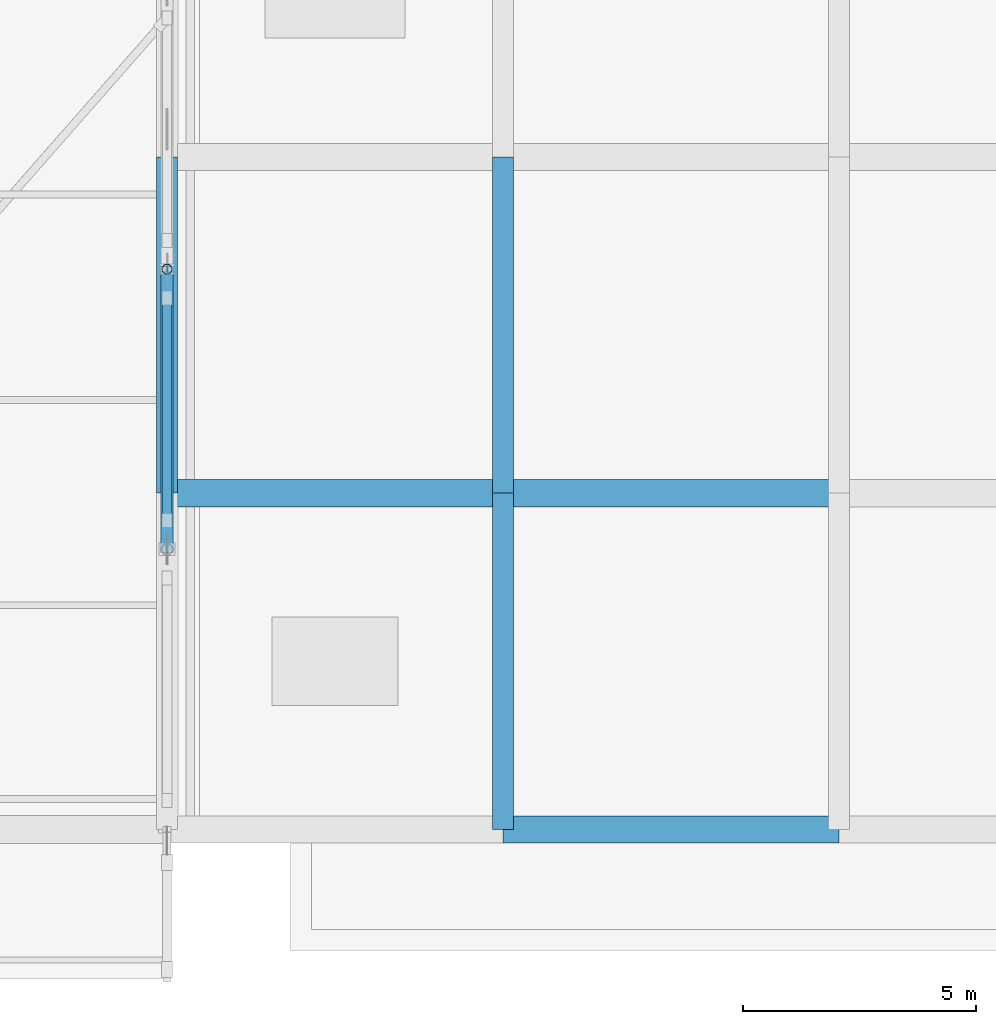
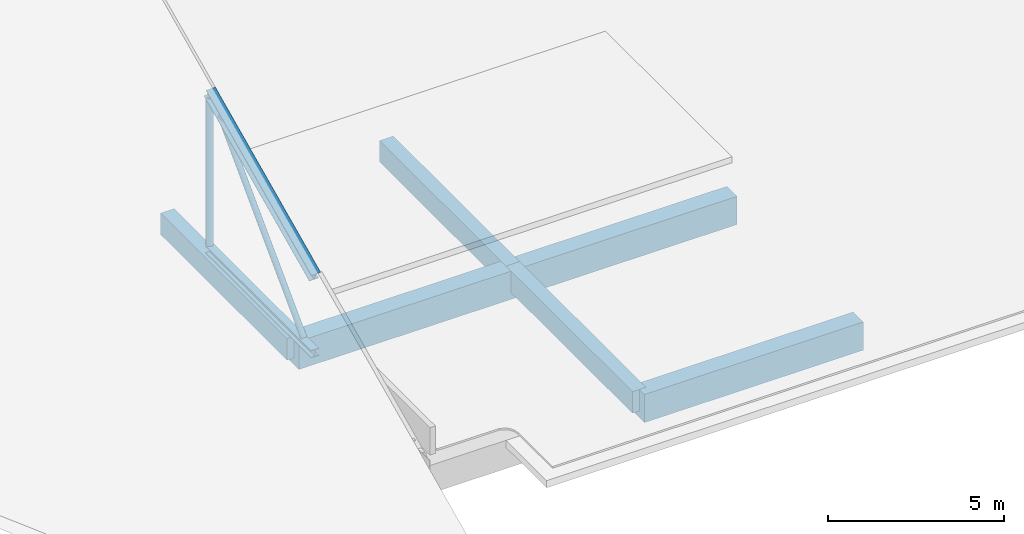
# One storey, part 104 of 141: 6 beams, 4 members, 1 element without a shape of its own.
"""IFC4 building model written with IfcOpenShell, lengths in metres."""

import ifcopenshell
import ifcopenshell.guid

model = None  # the IFC model being written
_history = None  # IfcOwnerHistory: only IFC2X3 demands one
_inside = {}  # id of a spatial element -> (the spatial element, [elements in it])
_under = {}  # id of a project, library or spatial element -> (it, [spatial elements below it])
_declared = {}  # id of a project -> (the project, [libraries it declares])
_typed = {}  # id of a type object -> (the type object, [elements of that type])
_made_of = {}  # id of a material, layer set ... -> (it, [elements and type objects made of it])


def new_model(schema):
    """Start an empty IFC model of exactly this schema.

    Asked for "IFC4X3", IfcOpenShell would pick the latest addendum, in which some entities
    have other attributes; the version numbers below select the first issue.
    IFC2X3 requires an IfcOwnerHistory on every rooted entity: one is made here for all.
    """
    global model, _history
    if schema == "IFC4X3":
        model = ifcopenshell.file(schema_version=(4, 3, 0, 0))
    else:
        model = ifcopenshell.file(schema=schema)
    _inside.clear()
    _under.clear()
    _declared.clear()
    _typed.clear()
    _made_of.clear()
    _history = None
    if model.schema == "IFC2X3":
        org = make("IfcOrganization", Name="unknown")
        user = make(
            "IfcPersonAndOrganization",
            ThePerson=make("IfcPerson", FamilyName="unknown"),
            TheOrganization=org,
        )
        app = make(
            "IfcApplication",
            ApplicationDeveloper=org,
            Version="unknown",
            ApplicationFullName="unknown",
            ApplicationIdentifier="unknown",
        )
        _history = make(
            "IfcOwnerHistory",
            OwningUser=user,
            OwningApplication=app,
            ChangeAction="ADDED",
            CreationDate=0,
        )
    return model


def make(cls, **values):
    """One entity of the class cls with the attributes given. An attribute that is None is left unset."""
    return model.create_entity(
        cls, **{name: value for name, value in values.items() if value is not None}
    )


def rooted(cls, **values):
    """An entity with a GlobalId (a new one), such as an element, a storey or a relation."""
    return make(cls, GlobalId=ifcopenshell.guid.new(), OwnerHistory=_history, **values)


def si_unit(unit_type, name, prefix=None):
    """IfcSIUnit, for example si_unit("LENGTHUNIT", "METRE", prefix="MILLI")."""
    return make("IfcSIUnit", UnitType=unit_type, Prefix=prefix, Name=name)


def assignment(units):
    """IfcUnitAssignment: the units of a project."""
    return None if units is None else make("IfcUnitAssignment", Units=units)


def point(xyz):
    """IfcCartesianPoint."""
    return None if xyz is None else make("IfcCartesianPoint", Coordinates=xyz)


def direction(xyz):
    """IfcDirection."""
    return None if xyz is None else make("IfcDirection", DirectionRatios=xyz)


def frame(location, z_axis=None, x_axis=None):
    """IfcAxis2Placement3D, a coordinate frame: its origin and axes. An axis left out is left unset."""
    return make(
        "IfcAxis2Placement3D",
        Location=point(location),
        Axis=direction(z_axis),
        RefDirection=direction(x_axis),
    )


def frame_2d(location, x_axis=None):
    """IfcAxis2Placement2D, a coordinate frame in the plane: its origin and x axis."""
    return make(
        "IfcAxis2Placement2D", Location=point(location), RefDirection=direction(x_axis)
    )


def origin():
    """The frame at (0, 0, 0) with its axes left unset."""
    return frame((0.0, 0.0, 0.0))


def origin_2d():
    """The frame at (0, 0) in the plane with its x axis left unset."""
    return frame_2d((0.0, 0.0))


def place(relative_to, where):
    """IfcLocalPlacement: puts the frame where relative to a parent placement (None: the world)."""
    return make(
        "IfcLocalPlacement", PlacementRelTo=relative_to, RelativePlacement=where
    )


def context(
    kind, dimensions, precision=None, world=None, true_north=None, identifier=None
):
    """IfcGeometricRepresentationContext, for example the 3D "Model" context."""
    return make(
        "IfcGeometricRepresentationContext",
        ContextIdentifier=identifier,
        ContextType=kind,
        CoordinateSpaceDimension=dimensions,
        Precision=precision,
        WorldCoordinateSystem=world,
        TrueNorth=true_north,
    )


def subcontext(parent, identifier, kind, view, scale=None):
    """IfcGeometricRepresentationSubContext, for example "Body" below "Model"."""
    return make(
        "IfcGeometricRepresentationSubContext",
        ContextIdentifier=identifier,
        ContextType=kind,
        ParentContext=parent,
        TargetScale=scale,
        TargetView=view,
    )


def project(units=None, contexts=None):
    """IfcProject with its units and contexts."""
    return rooted(
        "IfcProject",
        Name="project",
        RepresentationContexts=contexts,
        UnitsInContext=assignment(units),
    )


def spatial(cls, under=None, at=None, **own):
    """A site, building, storey or space (cls), placed at a placement, below another one or the project."""
    s = rooted(cls, ObjectPlacement=at, **own)
    if under is not None:
        _under.setdefault(under.id(), (under, []))[1].append(s)
    return s


def profile(cls, at=None, kind="AREA", **sizes):
    """A parametric profile (cls). Its sizes go by their IFC names, for example OverallWidth=200.0."""
    return make(cls, ProfileType=kind, Position=at, **sizes)


def rectangle(**sizes):
    """IfcRectangleProfileDef."""
    return profile("IfcRectangleProfileDef", **sizes)


def hollow_circle(**sizes):
    """IfcCircleHollowProfileDef."""
    return profile("IfcCircleHollowProfileDef", **sizes)


def i_section(**sizes):
    """IfcIShapeProfileDef."""
    return profile("IfcIShapeProfileDef", **sizes)


def extrude(swept, where, along, depth):
    """IfcExtrudedAreaSolid: the profile swept, set in the frame where, extruded along a direction by depth."""
    return make(
        "IfcExtrudedAreaSolid",
        SweptArea=swept,
        Position=where,
        ExtrudedDirection=direction(along),
        Depth=depth,
    )


def shape(context_of_items, identifier, shape_type, items):
    """IfcShapeRepresentation: the items that make up one representation, for example the "Body"."""
    return make(
        "IfcShapeRepresentation",
        ContextOfItems=context_of_items,
        RepresentationIdentifier=identifier,
        RepresentationType=shape_type,
        Items=items,
    )


def material(Name=None, Category=None):
    """IfcMaterial."""
    return make("IfcMaterial", Name=Name, Category=Category)


def material_profile(
    of_material, cross_section, Name=None, Category=None, Priority=None
):
    """IfcMaterialProfile: a cross section and its material."""
    return make(
        "IfcMaterialProfile",
        Name=Name,
        Material=of_material,
        Profile=cross_section,
        Priority=Priority,
        Category=Category,
    )


def profile_set(profiles, Name=None, composite=None):
    """IfcMaterialProfileSet."""
    return make(
        "IfcMaterialProfileSet",
        Name=Name,
        MaterialProfiles=profiles,
        CompositeProfile=composite,
    )


def made_of(thing, what):
    """Note that an element or type object is made of a material, layer set ...; save() writes the relation."""
    if what is not None:
        _made_of.setdefault(what.id(), (what, []))[1].append(thing)
    return thing


def type_object(cls, material=None, **own):
    """A type object (cls), such as IfcWallType, which elements share."""
    return made_of(rooted(cls, **own), material)


def element(
    cls,
    number,
    at=None,
    inside=None,
    cuts=None,
    type_object=None,
    material=None,
    context=None,
    identifier="Body",
    shape_type=None,
    held_by="IfcProductDefinitionShape",
    body=None,
    shapes=None,
    **own,
):
    """One element of the class cls, such as IfcWall. Its Tag is "e" and its number.

    at: its placement. inside: the storey or other place that contains it. cuts: it is an
    opening in that element (IfcRelVoidsElement). A single representation is given by context,
    identifier, shape_type and body (its items); several are given by shapes. held_by: the class
    of the entity that holds the representations. save() writes the other relations.
    """
    e = rooted(cls, Tag="e%d" % number, ObjectPlacement=at, **own)
    if body is not None:
        shapes = [shape(context, identifier, shape_type, body)]
    if shapes is not None:
        e.Representation = make(held_by, Representations=shapes)
    if inside is not None:
        _inside.setdefault(inside.id(), (inside, []))[1].append(e)
    if cuts is not None:
        rooted(
            "IfcRelVoidsElement", RelatingBuildingElement=cuts, RelatedOpeningElement=e
        )
    if type_object is not None:
        _typed.setdefault(type_object.id(), (type_object, []))[1].append(e)
    return made_of(e, material)


def aggregate(whole, parts):
    """IfcRelAggregates: a whole, such as a stair, and the parts it consists of."""
    return rooted("IfcRelAggregates", RelatingObject=whole, RelatedObjects=parts)


def save(model, path):
    """Write the relations noted so far, then the file.

    IfcRelAggregates (storeys below a building ...), IfcRelContainedInSpatialStructure (elements
    in a storey), IfcRelDefinesByType, IfcRelAssociatesMaterial and IfcRelDeclares: one each for
    every whole, place, type object, material and project.
    """
    for whole, parts in _under.values():
        aggregate(whole, parts)
    for where, things in _inside.values():
        rooted(
            "IfcRelContainedInSpatialStructure",
            RelatedElements=things,
            RelatingStructure=where,
        )
    for kind, things in _typed.values():
        rooted("IfcRelDefinesByType", RelatedObjects=things, RelatingType=kind)
    for what, things in _made_of.values():
        rooted("IfcRelAssociatesMaterial", RelatedObjects=things, RelatingMaterial=what)
    for by, libraries in _declared.values():
        rooted("IfcRelDeclares", RelatingContext=by, RelatedDefinitions=libraries)
    model.write(path)


model = new_model("IFC4")

# Units and contexts
model_context = context("Model", 3, precision=1e-05, world=origin(), true_north=direction((0.0, 1.0)))
body_context = subcontext(model_context, "Body", "Model", "MODEL_VIEW")
ifc_project = project(units=[si_unit("LENGTHUNIT", "METRE"), si_unit("AREAUNIT", "SQUARE_METRE"), si_unit("VOLUMEUNIT", "CUBIC_METRE"), si_unit("PLANEANGLEUNIT", "RADIAN"), si_unit("MASSUNIT", "GRAM", prefix="KILO")], contexts=[model_context])

# Site, building, storey
site_placement = place(None, origin())
site = spatial("IfcSite", under=ifc_project, at=site_placement, CompositionType="ELEMENT")
building_placement = place(site_placement, origin())
building = spatial("IfcBuilding", under=site, at=building_placement, Name="Seraya Terrace Polytechnic", CompositionType="ELEMENT")
storey_placement = place(building_placement, frame((0.0, 0.0, 14.39990234375)))
storey = spatial("IfcBuildingStorey", under=building, at=storey_placement, Name="L03", CompositionType="ELEMENT", Elevation=14.39990234375)

# Assembly, member
ifc_material_1 = material(Name="Steel S355J2", Category="steel")
element_assembly_type = type_object("IfcElementAssemblyType", Name="TR-A1", PredefinedType="TRUSS", material=ifc_material_1)
assembly_placement = place(storey_placement, origin())
assembly = element("IfcElementAssembly", 1, at=assembly_placement, inside=storey, type_object=element_assembly_type, Name="Pitched steel roof truss TR-08", AssemblyPlace="SITE", PredefinedType="TRUSS")
ifc_material_profile_1 = material_profile(ifc_material_1, i_section(OverallWidth=0.25390625, OverallDepth=0.25390625, WebThickness=0.0107421875, FlangeThickness=0.017333984375, at=origin_2d()), Name="UKC 254x254x10.7x17.3")
ifc_profile_set_1 = profile_set([ifc_material_profile_1], Name="Steel S355J2")
member_type_1 = type_object("IfcMemberType", Name="BC-02", PredefinedType="CHORD", material=ifc_profile_set_1)
member_1_placement = place(storey_placement, frame((115.199951171875, 85.199951171875, 0.150146484375), z_axis=(0.0, 1.0, 0.0), x_axis=(-1.0, 0.0, 0.0)))
member_1 = element("IfcMember", 2, at=member_1_placement, type_object=member_type_1, Name="TR-08 bottom chord 2", PredefinedType="CHORD", context=body_context, shape_type="SweptSolid", body=[
    extrude(i_section(OverallWidth=0.25390625, OverallDepth=0.25390625, WebThickness=0.0107421875, FlangeThickness=0.017333984375, at=origin_2d()), origin(), (0.0, 0.0, 1.0), 6.0),
])

# Beams
ifc_material_2 = material(Name="Concrete C40/50", Category="concrete")
ifc_material_profile_2 = material_profile(ifc_material_2, rectangle(XDim=0.580078125, YDim=0.97998046875, at=origin_2d()), Name="RC 580x980")
ifc_profile_set_2 = profile_set([ifc_material_profile_2], Name="Concrete C40/50")
beam_type_1 = type_object("IfcBeamType", Name="BM-02", PredefinedType="BEAM", material=ifc_profile_set_2)
beam_1_placement = place(storey_placement, frame((122.39990234375, 79.199951171875, -0.489990234375), z_axis=(1.0, 0.0, 0.0), x_axis=(0.0, 1.0, 0.0)))
element("IfcBeam", 3, at=beam_1_placement, inside=storey, type_object=beam_type_1, Name="Beam BM-02 L03 X (122.4..129.6, 79.2)", PredefinedType="BEAM", context=body_context, shape_type="SweptSolid", body=[
    extrude(rectangle(XDim=0.580078125, YDim=0.97998046875, at=origin_2d()), origin(), (0.0, 0.0, 1.0), 7.2001953125),
])
beam_2_placement = place(storey_placement, frame((115.199951171875, 86.39990234375, -0.489990234375), z_axis=(1.0, 0.0, 0.0), x_axis=(0.0, 1.0, 0.0)))
element("IfcBeam", 4, at=beam_2_placement, inside=storey, type_object=beam_type_1, Name="Beam BM-02 L03 X (115.2..122.4, 86.4)", PredefinedType="BEAM", context=body_context, shape_type="SweptSolid", body=[
    extrude(rectangle(XDim=0.580078125, YDim=0.97998046875, at=origin_2d()), origin(), (0.0, 0.0, 1.0), 7.199951171875),
])
beam_3_placement = place(storey_placement, frame((122.39990234375, 86.39990234375, -0.489990234375), z_axis=(1.0, 0.0, 0.0), x_axis=(0.0, 1.0, 0.0)))
element("IfcBeam", 5, at=beam_3_placement, inside=storey, type_object=beam_type_1, Name="Beam BM-02 L03 X (122.4..129.6, 86.4)", PredefinedType="BEAM", context=body_context, shape_type="SweptSolid", body=[
    extrude(rectangle(XDim=0.580078125, YDim=0.97998046875, at=origin_2d()), origin(), (0.0, 0.0, 1.0), 7.2001953125),
])
ifc_material_profile_3 = material_profile(ifc_material_2, rectangle(XDim=0.449951171875, YDim=0.75, at=origin_2d()), Name="RC 450x750")
ifc_profile_set_3 = profile_set([ifc_material_profile_3], Name="Concrete C40/50")
beam_type_2 = type_object("IfcBeamType", Name="BM-08", PredefinedType="BEAM", material=ifc_profile_set_3)
beam_4_placement = place(storey_placement, frame((115.199951171875, 86.39990234375, -0.375), z_axis=(0.0, 1.0, 0.0), x_axis=(-1.0, 0.0, 0.0)))
element("IfcBeam", 6, at=beam_4_placement, inside=storey, type_object=beam_type_2, Name="Beam BM-08 L03 Y (115.2, 86.4..93.6)", PredefinedType="BEAM", context=body_context, shape_type="SweptSolid", body=[
    extrude(rectangle(XDim=0.449951171875, YDim=0.75, at=origin_2d()), origin(), (0.0, 0.0, 1.0), 7.2001953125),
])
beam_5_placement = place(storey_placement, frame((122.39990234375, 79.199951171875, -0.375), z_axis=(0.0, 1.0, 0.0), x_axis=(-1.0, 0.0, 0.0)))
element("IfcBeam", 7, at=beam_5_placement, inside=storey, type_object=beam_type_2, Name="Beam BM-08 L03 Y (122.4, 79.2..86.4)", PredefinedType="BEAM", context=body_context, shape_type="SweptSolid", body=[
    extrude(rectangle(XDim=0.449951171875, YDim=0.75, at=origin_2d()), origin(), (0.0, 0.0, 1.0), 7.199951171875),
])
beam_6_placement = place(storey_placement, frame((122.39990234375, 86.39990234375, -0.375), z_axis=(0.0, 1.0, 0.0), x_axis=(-1.0, 0.0, 0.0)))
element("IfcBeam", 8, at=beam_6_placement, inside=storey, type_object=beam_type_2, Name="Beam BM-08 L03 Y (122.4, 86.4..93.6)", PredefinedType="BEAM", context=body_context, shape_type="SweptSolid", body=[
    extrude(rectangle(XDim=0.449951171875, YDim=0.75, at=origin_2d()), origin(), (0.0, 0.0, 1.0), 7.2001953125),
])

# Member
ifc_material_profile_4 = material_profile(ifc_material_1, hollow_circle(Radius=0.096923828125, WallThickness=0.010009765625, at=origin_2d()), Name="CHS 193.7x10.0")
ifc_profile_set_4 = profile_set([ifc_material_profile_4], Name="Steel S355J2")
member_type_2 = type_object("IfcMemberType", Name="BR-02", PredefinedType="BRACE", material=ifc_profile_set_4)
member_2_placement = place(storey_placement, frame((115.199951171875, 85.820068359375, 0.291015625), z_axis=(0.0, 0.700213947338, 0.713933069659), x_axis=(-1.0, 0.0, 0.0)))
member_2 = element("IfcMember", 9, at=member_2_placement, type_object=member_type_2, Name="TR-08 web diagonal 2", PredefinedType="BRACE", context=body_context, shape_type="SweptSolid", body=[
    extrude(hollow_circle(Radius=0.096923828125, WallThickness=0.010009765625, at=origin_2d()), origin(), (0.0, 0.0, 1.0), 6.7978515625),
])

ifc_material_profile_5 = material_profile(ifc_material_1, hollow_circle(Radius=0.109619140625, WallThickness=0.010009765625, at=origin_2d()), Name="CHS 219.1x10.0")
ifc_profile_set_5 = profile_set([ifc_material_profile_5], Name="Steel S355J2")
member_type_3 = type_object("IfcMemberType", Name="ST-M3", PredefinedType="STRUT", material=ifc_profile_set_5)
member_3_placement = place(storey_placement, frame((115.199951171875, 91.199951171875, 0.281005859375), z_axis=(0.0, 0.0, 1.0), x_axis=(1.0, 0.0, 0.0)))
member_3 = element("IfcMember", 10, at=member_3_placement, type_object=member_type_3, Name="TR-08 vertical strut 3", PredefinedType="STRUT", context=body_context, shape_type="SweptSolid", body=[
    extrude(hollow_circle(Radius=0.109619140625, WallThickness=0.010009765625, at=origin_2d()), origin(), (0.0, 0.0, 1.0), 5.16259765625),
])

ifc_material_profile_6 = material_profile(ifc_material_1, i_section(OverallWidth=0.304931640625, OverallDepth=0.304931640625, WebThickness=0.011962890625, FlangeThickness=0.019775390625, at=origin_2d()), Name="UKC 305x305x12.0x19.7")
ifc_profile_set_6 = profile_set([ifc_material_profile_6], Name="Steel S355J2")
member_type_4 = type_object("IfcMemberType", Name="TC-02", PredefinedType="CHORD", material=ifc_profile_set_6)
member_4_placement = place(storey_placement, frame((115.199951171875, 85.199951171875, 2.800048828125), z_axis=(0.0, 0.906180313975, 0.422891521036), x_axis=(-1.0, 0.0, 0.0)))
member_4 = element("IfcMember", 11, at=member_4_placement, type_object=member_type_4, Name="TR-08 top chord 2", PredefinedType="CHORD", context=body_context, shape_type="SweptSolid", body=[
    extrude(i_section(OverallWidth=0.304931640625, OverallDepth=0.304931640625, WebThickness=0.011962890625, FlangeThickness=0.019775390625, at=origin_2d()), origin(), (0.0, 0.0, 1.0), 6.62109375),
])

aggregate(assembly, [member_1, member_4, member_3, member_2])

save(model, "model.ifc")
